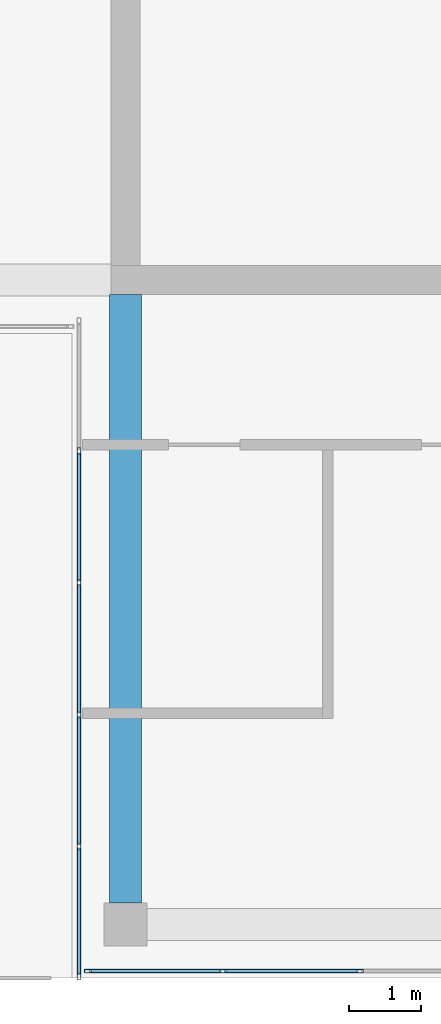
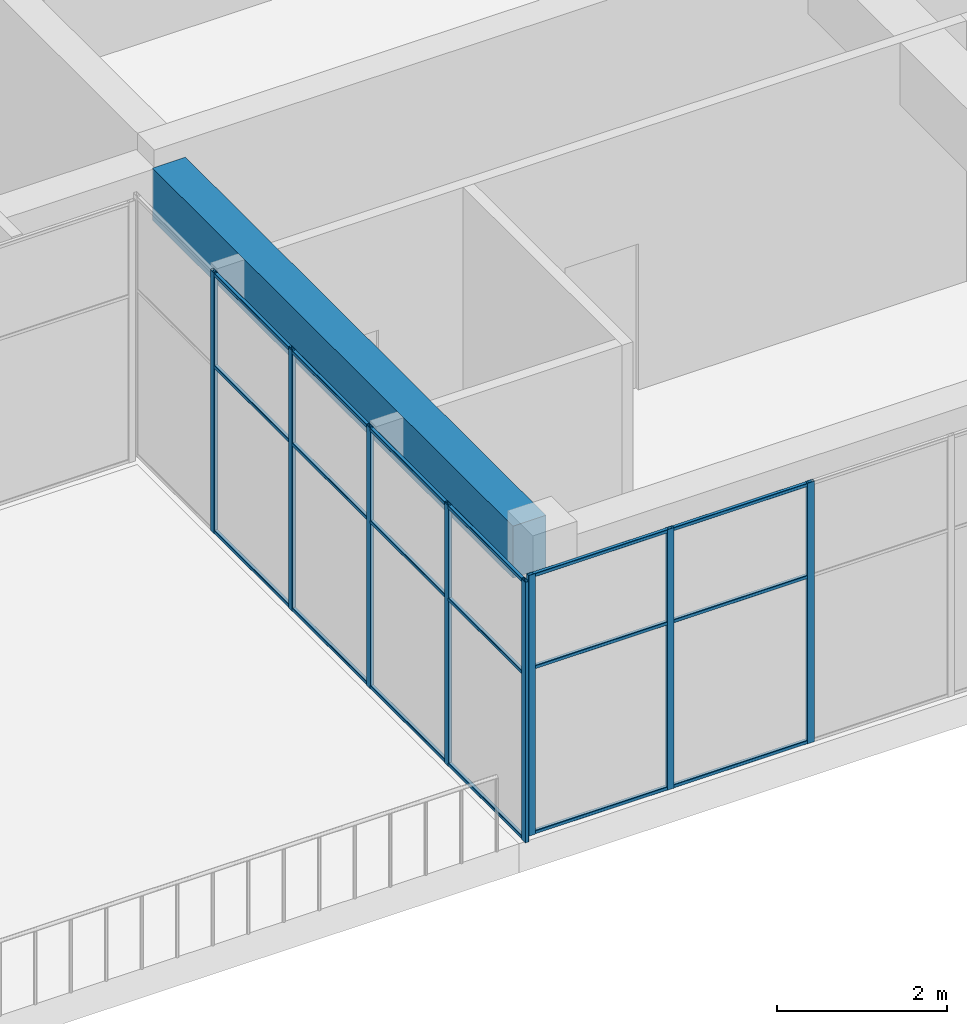
# One storey, part 3 of 32: 26 members, 1 beam, 2 elements without a shape of their own.
"""IFC4 building model written with IfcOpenShell, lengths in metres."""

from ifc_helpers import new_model, si_unit, direction, frame, origin, origin_2d, place, context, subcontext, project, spatial, rectangle, hollow_rectangle, extrude, material, layer, layer_set, material_profile, profile_set, type_object, element, aggregate, save


model = new_model("IFC4")

# Units and contexts
model_context = context("Model", 3, precision=1e-05, world=origin(), true_north=direction((0.0, 1.0)))
body_context = subcontext(model_context, "Body", "Model", "MODEL_VIEW")
ifc_project = project(units=[si_unit("LENGTHUNIT", "METRE"), si_unit("AREAUNIT", "SQUARE_METRE"), si_unit("VOLUMEUNIT", "CUBIC_METRE"), si_unit("PLANEANGLEUNIT", "RADIAN"), si_unit("MASSUNIT", "GRAM", prefix="KILO")], contexts=[model_context])

# Site, building, storey
site_placement = place(None, origin())
site = spatial("IfcSite", under=ifc_project, at=site_placement, CompositionType="ELEMENT")
building_placement = place(site_placement, origin())
building = spatial("IfcBuilding", under=site, at=building_placement, Name="Tuart Plaza Theatre", CompositionType="ELEMENT")
storey_placement = place(building_placement, frame((0.0, 0.0, 41.5)))
storey = spatial("IfcBuildingStorey", under=building, at=storey_placement, Name="L10", CompositionType="ELEMENT", Elevation=41.5)

# Beam
ifc_material_1 = material(Name="Concrete N40 (40 MPa)", Category="concrete")
ifc_material_profile_1 = material_profile(ifc_material_1, rectangle(XDim=0.449951171875, YDim=0.75, at=origin_2d()), Name="BEAM 450x750 Concrete N40 (40 MPa)")
ifc_profile_set_1 = profile_set([ifc_material_profile_1], Name="Concrete N40 (40 MPa)")
beam_type = type_object("IfcBeamType", Name="BEAM 450x750 Concrete N40 (40 MPa)", PredefinedType="BEAM", material=ifc_profile_set_1)
beam_placement = place(storey_placement, frame((123.0, 56.300048828125, 3.375), z_axis=(0.0, 1.0, 0.0), x_axis=(-1.0, 0.0, 0.0)))
element("IfcBeam", 1, at=beam_placement, inside=storey, type_object=beam_type, Name="RB296", PredefinedType="BEAM", context=body_context, shape_type="SweptSolid", body=[
    extrude(rectangle(XDim=0.449951171875, YDim=0.75, at=origin_2d()), origin(), (0.0, 0.0, 1.0), 8.5),
])

# Curtain wall, members
ifc_material_2 = material(Name="Aluminium and glass", Category="aluminium")
ifc_layer = layer(ifc_material_2, 0.10009765625)
ifc_layer_set = layer_set([ifc_layer], Name="CURTAIN WALL 2000 module")
curtain_wall_type = type_object("IfcCurtainWallType", Name="CURTAIN WALL 2000 module", PredefinedType="NOTDEFINED", material=ifc_layer_set)
curtain_wall_1_placement = place(storey_placement, origin())
curtain_wall_1 = element("IfcCurtainWall", 2, at=curtain_wall_1_placement, inside=storey, type_object=curtain_wall_type, Name="CW110", PredefinedType="NOTDEFINED")
ifc_material_3 = material(Name="Aluminium 6063-T5", Category="aluminium")
ifc_material_profile_2 = material_profile(ifc_material_3, hollow_rectangle(XDim=0.050048828125, YDim=0.10009765625, WallThickness=0.00390625, InnerFilletRadius=0.00390625, OuterFilletRadius=0.008056640625, at=origin_2d()), Name="RHS 100x50x4")
ifc_profile_set_2 = profile_set([ifc_material_profile_2], Name="Aluminium 6063-T5")
member_type_1 = type_object("IfcMemberType", Name="MULLION RHS 100x50x4", PredefinedType="MULLION", material=ifc_profile_set_2)
member_1_placement = place(storey_placement, frame((122.35009765625, 62.610107421875, 0.0), z_axis=(0.0, 0.0, 1.0), x_axis=(1.0, 0.0, 0.0)))
member_1 = element("IfcMember", 3, at=member_1_placement, type_object=member_type_1, Name="CW110 mullion 2", PredefinedType="MULLION", context=body_context, shape_type="SweptSolid", body=[
    extrude(hollow_rectangle(XDim=0.050048828125, YDim=0.10009765625, WallThickness=0.00390625, InnerFilletRadius=0.00390625, OuterFilletRadius=0.008056640625, at=origin_2d()), origin(), (0.0, 0.0, 1.0), 3.75),
])
member_2_placement = place(storey_placement, frame((122.35009765625, 60.77001953125, 0.0), z_axis=(0.0, 0.0, 1.0), x_axis=(1.0, 0.0, 0.0)))
member_2 = element("IfcMember", 4, at=member_2_placement, type_object=member_type_1, Name="CW110 mullion 3", PredefinedType="MULLION", context=body_context, shape_type="SweptSolid", body=[
    extrude(hollow_rectangle(XDim=0.050048828125, YDim=0.10009765625, WallThickness=0.00390625, InnerFilletRadius=0.00390625, OuterFilletRadius=0.008056640625, at=origin_2d()), origin(), (0.0, 0.0, 1.0), 3.75),
])
member_3_placement = place(storey_placement, frame((122.35009765625, 58.929931640625, 0.0), z_axis=(0.0, 0.0, 1.0), x_axis=(1.0, 0.0, 0.0)))
member_3 = element("IfcMember", 5, at=member_3_placement, type_object=member_type_1, Name="CW110 mullion 4", PredefinedType="MULLION", context=body_context, shape_type="SweptSolid", body=[
    extrude(hollow_rectangle(XDim=0.050048828125, YDim=0.10009765625, WallThickness=0.00390625, InnerFilletRadius=0.00390625, OuterFilletRadius=0.008056640625, at=origin_2d()), origin(), (0.0, 0.0, 1.0), 3.75),
])
member_4_placement = place(storey_placement, frame((122.35009765625, 57.090087890625, 0.0), z_axis=(0.0, 0.0, 1.0), x_axis=(1.0, 0.0, 0.0)))
member_4 = element("IfcMember", 6, at=member_4_placement, type_object=member_type_1, Name="CW110 mullion 5", PredefinedType="MULLION", context=body_context, shape_type="SweptSolid", body=[
    extrude(hollow_rectangle(XDim=0.050048828125, YDim=0.10009765625, WallThickness=0.00390625, InnerFilletRadius=0.00390625, OuterFilletRadius=0.008056640625, at=origin_2d()), origin(), (0.0, 0.0, 1.0), 3.75),
])
member_5_placement = place(storey_placement, frame((122.35009765625, 55.27490234375, 0.0), z_axis=(0.0, 0.0, 1.0), x_axis=(1.0, 0.0, 0.0)))
member_5 = element("IfcMember", 7, at=member_5_placement, type_object=member_type_1, Name="CW110 mullion 6", PredefinedType="MULLION", context=body_context, shape_type="SweptSolid", body=[
    extrude(hollow_rectangle(XDim=0.050048828125, YDim=0.10009765625, WallThickness=0.00390625, InnerFilletRadius=0.00390625, OuterFilletRadius=0.008056640625, at=origin_2d()), origin(), (0.0, 0.0, 1.0), 3.75),
])

curtain_wall_2_placement = place(storey_placement, origin())
curtain_wall_2 = element("IfcCurtainWall", 8, at=curtain_wall_2_placement, inside=storey, type_object=curtain_wall_type, Name="CW111", PredefinedType="NOTDEFINED")
member_6_placement = place(storey_placement, frame((122.47509765625, 55.35009765625, 0.0), z_axis=(0.0, 0.0, 1.0), x_axis=(0.0, 1.0, 0.0)))
member_6 = element("IfcMember", 9, at=member_6_placement, type_object=member_type_1, Name="CW111 mullion 1", PredefinedType="MULLION", context=body_context, shape_type="SweptSolid", body=[
    extrude(hollow_rectangle(XDim=0.050048828125, YDim=0.10009765625, WallThickness=0.00390625, InnerFilletRadius=0.00390625, OuterFilletRadius=0.008056640625, at=origin_2d()), origin(), (0.0, 0.0, 1.0), 3.75),
])
member_7_placement = place(storey_placement, frame((124.360107421875, 55.35009765625, 0.0), z_axis=(0.0, 0.0, 1.0), x_axis=(0.0, 1.0, 0.0)))
member_7 = element("IfcMember", 10, at=member_7_placement, type_object=member_type_1, Name="CW111 mullion 2", PredefinedType="MULLION", context=body_context, shape_type="SweptSolid", body=[
    extrude(hollow_rectangle(XDim=0.050048828125, YDim=0.10009765625, WallThickness=0.00390625, InnerFilletRadius=0.00390625, OuterFilletRadius=0.008056640625, at=origin_2d()), origin(), (0.0, 0.0, 1.0), 3.75),
])
member_8_placement = place(storey_placement, frame((126.27001953125, 55.35009765625, 0.0), z_axis=(0.0, 0.0, 1.0), x_axis=(0.0, 1.0, 0.0)))
member_8 = element("IfcMember", 11, at=member_8_placement, type_object=member_type_1, Name="CW111 mullion 3", PredefinedType="MULLION", context=body_context, shape_type="SweptSolid", body=[
    extrude(hollow_rectangle(XDim=0.050048828125, YDim=0.10009765625, WallThickness=0.00390625, InnerFilletRadius=0.00390625, OuterFilletRadius=0.008056640625, at=origin_2d()), origin(), (0.0, 0.0, 1.0), 3.75),
])

# Member
ifc_material_4 = material(Name="Aluminium 6063-T5", Category="aluminium")
ifc_material_profile_3 = material_profile(ifc_material_4, hollow_rectangle(XDim=0.050048828125, YDim=0.050048828125, WallThickness=0.00390625, InnerFilletRadius=0.00390625, OuterFilletRadius=0.008056640625, at=origin_2d()), Name="RHS 50x50x4")
ifc_profile_set_3 = profile_set([ifc_material_profile_3], Name="Aluminium 6063-T5")
member_type_2 = type_object("IfcMemberType", Name="TRANSOM RHS 50x50x4", PredefinedType="USERDEFINED", material=ifc_profile_set_3)
member_9_placement = place(storey_placement, frame((122.35009765625, 62.5849609375, 0.02490234375), z_axis=(0.0, -1.0, 0.0), x_axis=(1.0, 0.0, 0.0)))
member_9 = element("IfcMember", 12, at=member_9_placement, type_object=member_type_2, Name="CW110 transom 2.1", ObjectType="TRANSOM", PredefinedType="USERDEFINED", context=body_context, shape_type="SweptSolid", body=[
    extrude(hollow_rectangle(XDim=0.050048828125, YDim=0.050048828125, WallThickness=0.00390625, InnerFilletRadius=0.00390625, OuterFilletRadius=0.008056640625, at=origin_2d()), origin(), (0.0, 0.0, 1.0), 1.7900390625),
])

member_10_placement = place(storey_placement, frame((122.35009765625, 62.5849609375, 2.39990234375), z_axis=(0.0, -1.0, 0.0), x_axis=(1.0, 0.0, 0.0)))
member_10 = element("IfcMember", 13, at=member_10_placement, type_object=member_type_2, Name="CW110 transom 2.2", ObjectType="TRANSOM", PredefinedType="USERDEFINED", context=body_context, shape_type="SweptSolid", body=[
    extrude(hollow_rectangle(XDim=0.050048828125, YDim=0.050048828125, WallThickness=0.00390625, InnerFilletRadius=0.00390625, OuterFilletRadius=0.008056640625, at=origin_2d()), origin(), (0.0, 0.0, 1.0), 1.7900390625),
])

member_11_placement = place(storey_placement, frame((122.35009765625, 62.5849609375, 3.72509765625), z_axis=(0.0, -1.0, 0.0), x_axis=(1.0, 0.0, 0.0)))
member_11 = element("IfcMember", 14, at=member_11_placement, type_object=member_type_2, Name="CW110 transom 2.3", ObjectType="TRANSOM", PredefinedType="USERDEFINED", context=body_context, shape_type="SweptSolid", body=[
    extrude(hollow_rectangle(XDim=0.050048828125, YDim=0.050048828125, WallThickness=0.00390625, InnerFilletRadius=0.00390625, OuterFilletRadius=0.008056640625, at=origin_2d()), origin(), (0.0, 0.0, 1.0), 1.7900390625),
])

member_12_placement = place(storey_placement, frame((122.35009765625, 60.7451171875, 0.02490234375), z_axis=(0.0, -1.0, 0.0), x_axis=(1.0, 0.0, 0.0)))
member_12 = element("IfcMember", 15, at=member_12_placement, type_object=member_type_2, Name="CW110 transom 3.1", ObjectType="TRANSOM", PredefinedType="USERDEFINED", context=body_context, shape_type="SweptSolid", body=[
    extrude(hollow_rectangle(XDim=0.050048828125, YDim=0.050048828125, WallThickness=0.00390625, InnerFilletRadius=0.00390625, OuterFilletRadius=0.008056640625, at=origin_2d()), origin(), (0.0, 0.0, 1.0), 1.7900390625),
])

member_13_placement = place(storey_placement, frame((122.35009765625, 60.7451171875, 2.39990234375), z_axis=(0.0, -1.0, 0.0), x_axis=(1.0, 0.0, 0.0)))
member_13 = element("IfcMember", 16, at=member_13_placement, type_object=member_type_2, Name="CW110 transom 3.2", ObjectType="TRANSOM", PredefinedType="USERDEFINED", context=body_context, shape_type="SweptSolid", body=[
    extrude(hollow_rectangle(XDim=0.050048828125, YDim=0.050048828125, WallThickness=0.00390625, InnerFilletRadius=0.00390625, OuterFilletRadius=0.008056640625, at=origin_2d()), origin(), (0.0, 0.0, 1.0), 1.7900390625),
])

member_14_placement = place(storey_placement, frame((122.35009765625, 60.7451171875, 3.72509765625), z_axis=(0.0, -1.0, 0.0), x_axis=(1.0, 0.0, 0.0)))
member_14 = element("IfcMember", 17, at=member_14_placement, type_object=member_type_2, Name="CW110 transom 3.3", ObjectType="TRANSOM", PredefinedType="USERDEFINED", context=body_context, shape_type="SweptSolid", body=[
    extrude(hollow_rectangle(XDim=0.050048828125, YDim=0.050048828125, WallThickness=0.00390625, InnerFilletRadius=0.00390625, OuterFilletRadius=0.008056640625, at=origin_2d()), origin(), (0.0, 0.0, 1.0), 1.7900390625),
])

member_15_placement = place(storey_placement, frame((122.35009765625, 58.905029296875, 0.02490234375), z_axis=(0.0, -1.0, 0.0), x_axis=(1.0, 0.0, 0.0)))
member_15 = element("IfcMember", 18, at=member_15_placement, type_object=member_type_2, Name="CW110 transom 4.1", ObjectType="TRANSOM", PredefinedType="USERDEFINED", context=body_context, shape_type="SweptSolid", body=[
    extrude(hollow_rectangle(XDim=0.050048828125, YDim=0.050048828125, WallThickness=0.00390625, InnerFilletRadius=0.00390625, OuterFilletRadius=0.008056640625, at=origin_2d()), origin(), (0.0, 0.0, 1.0), 1.7900390625),
])

member_16_placement = place(storey_placement, frame((122.35009765625, 58.905029296875, 2.39990234375), z_axis=(0.0, -1.0, 0.0), x_axis=(1.0, 0.0, 0.0)))
member_16 = element("IfcMember", 19, at=member_16_placement, type_object=member_type_2, Name="CW110 transom 4.2", ObjectType="TRANSOM", PredefinedType="USERDEFINED", context=body_context, shape_type="SweptSolid", body=[
    extrude(hollow_rectangle(XDim=0.050048828125, YDim=0.050048828125, WallThickness=0.00390625, InnerFilletRadius=0.00390625, OuterFilletRadius=0.008056640625, at=origin_2d()), origin(), (0.0, 0.0, 1.0), 1.7900390625),
])

member_17_placement = place(storey_placement, frame((122.35009765625, 58.905029296875, 3.72509765625), z_axis=(0.0, -1.0, 0.0), x_axis=(1.0, 0.0, 0.0)))
member_17 = element("IfcMember", 20, at=member_17_placement, type_object=member_type_2, Name="CW110 transom 4.3", ObjectType="TRANSOM", PredefinedType="USERDEFINED", context=body_context, shape_type="SweptSolid", body=[
    extrude(hollow_rectangle(XDim=0.050048828125, YDim=0.050048828125, WallThickness=0.00390625, InnerFilletRadius=0.00390625, OuterFilletRadius=0.008056640625, at=origin_2d()), origin(), (0.0, 0.0, 1.0), 1.7900390625),
])

member_18_placement = place(storey_placement, frame((122.35009765625, 57.06494140625, 0.02490234375), z_axis=(0.0, -1.0, 0.0), x_axis=(1.0, 0.0, 0.0)))
member_18 = element("IfcMember", 21, at=member_18_placement, type_object=member_type_2, Name="CW110 transom 5.1", ObjectType="TRANSOM", PredefinedType="USERDEFINED", context=body_context, shape_type="SweptSolid", body=[
    extrude(hollow_rectangle(XDim=0.050048828125, YDim=0.050048828125, WallThickness=0.00390625, InnerFilletRadius=0.00390625, OuterFilletRadius=0.008056640625, at=origin_2d()), origin(), (0.0, 0.0, 1.0), 1.764892578125),
])

member_19_placement = place(storey_placement, frame((122.35009765625, 57.06494140625, 2.39990234375), z_axis=(0.0, -1.0, 0.0), x_axis=(1.0, 0.0, 0.0)))
member_19 = element("IfcMember", 22, at=member_19_placement, type_object=member_type_2, Name="CW110 transom 5.2", ObjectType="TRANSOM", PredefinedType="USERDEFINED", context=body_context, shape_type="SweptSolid", body=[
    extrude(hollow_rectangle(XDim=0.050048828125, YDim=0.050048828125, WallThickness=0.00390625, InnerFilletRadius=0.00390625, OuterFilletRadius=0.008056640625, at=origin_2d()), origin(), (0.0, 0.0, 1.0), 1.764892578125),
])

member_20_placement = place(storey_placement, frame((122.35009765625, 57.06494140625, 3.72509765625), z_axis=(0.0, -1.0, 0.0), x_axis=(1.0, 0.0, 0.0)))
member_20 = element("IfcMember", 23, at=member_20_placement, type_object=member_type_2, Name="CW110 transom 5.3", ObjectType="TRANSOM", PredefinedType="USERDEFINED", context=body_context, shape_type="SweptSolid", body=[
    extrude(hollow_rectangle(XDim=0.050048828125, YDim=0.050048828125, WallThickness=0.00390625, InnerFilletRadius=0.00390625, OuterFilletRadius=0.008056640625, at=origin_2d()), origin(), (0.0, 0.0, 1.0), 1.764892578125),
])

aggregate(curtain_wall_1, [member_1, member_2, member_3, member_4, member_5, member_9, member_10, member_11, member_12, member_13, member_14, member_15, member_16, member_17, member_18, member_19, member_20])

member_21_placement = place(storey_placement, frame((122.5, 55.35009765625, 0.02490234375), z_axis=(1.0, 0.0, 0.0), x_axis=(0.0, 1.0, 0.0)))
member_21 = element("IfcMember", 24, at=member_21_placement, type_object=member_type_2, Name="CW111 transom 1.1", ObjectType="TRANSOM", PredefinedType="USERDEFINED", context=body_context, shape_type="SweptSolid", body=[
    extrude(hollow_rectangle(XDim=0.050048828125, YDim=0.050048828125, WallThickness=0.00390625, InnerFilletRadius=0.00390625, OuterFilletRadius=0.008056640625, at=origin_2d()), origin(), (0.0, 0.0, 1.0), 1.8349609375),
])

member_22_placement = place(storey_placement, frame((122.5, 55.35009765625, 2.39990234375), z_axis=(1.0, 0.0, 0.0), x_axis=(0.0, 1.0, 0.0)))
member_22 = element("IfcMember", 25, at=member_22_placement, type_object=member_type_2, Name="CW111 transom 1.2", ObjectType="TRANSOM", PredefinedType="USERDEFINED", context=body_context, shape_type="SweptSolid", body=[
    extrude(hollow_rectangle(XDim=0.050048828125, YDim=0.050048828125, WallThickness=0.00390625, InnerFilletRadius=0.00390625, OuterFilletRadius=0.008056640625, at=origin_2d()), origin(), (0.0, 0.0, 1.0), 1.8349609375),
])

member_23_placement = place(storey_placement, frame((122.5, 55.35009765625, 3.72509765625), z_axis=(1.0, 0.0, 0.0), x_axis=(0.0, 1.0, 0.0)))
member_23 = element("IfcMember", 26, at=member_23_placement, type_object=member_type_2, Name="CW111 transom 1.3", ObjectType="TRANSOM", PredefinedType="USERDEFINED", context=body_context, shape_type="SweptSolid", body=[
    extrude(hollow_rectangle(XDim=0.050048828125, YDim=0.050048828125, WallThickness=0.00390625, InnerFilletRadius=0.00390625, OuterFilletRadius=0.008056640625, at=origin_2d()), origin(), (0.0, 0.0, 1.0), 1.8349609375),
])

member_24_placement = place(storey_placement, frame((124.385009765625, 55.35009765625, 0.02490234375), z_axis=(1.0, 0.0, 0.0), x_axis=(0.0, 1.0, 0.0)))
member_24 = element("IfcMember", 27, at=member_24_placement, type_object=member_type_2, Name="CW111 transom 2.1", ObjectType="TRANSOM", PredefinedType="USERDEFINED", context=body_context, shape_type="SweptSolid", body=[
    extrude(hollow_rectangle(XDim=0.050048828125, YDim=0.050048828125, WallThickness=0.00390625, InnerFilletRadius=0.00390625, OuterFilletRadius=0.008056640625, at=origin_2d()), origin(), (0.0, 0.0, 1.0), 1.860107421875),
])

member_25_placement = place(storey_placement, frame((124.385009765625, 55.35009765625, 2.39990234375), z_axis=(1.0, 0.0, 0.0), x_axis=(0.0, 1.0, 0.0)))
member_25 = element("IfcMember", 28, at=member_25_placement, type_object=member_type_2, Name="CW111 transom 2.2", ObjectType="TRANSOM", PredefinedType="USERDEFINED", context=body_context, shape_type="SweptSolid", body=[
    extrude(hollow_rectangle(XDim=0.050048828125, YDim=0.050048828125, WallThickness=0.00390625, InnerFilletRadius=0.00390625, OuterFilletRadius=0.008056640625, at=origin_2d()), origin(), (0.0, 0.0, 1.0), 1.860107421875),
])

member_26_placement = place(storey_placement, frame((124.385009765625, 55.35009765625, 3.72509765625), z_axis=(1.0, 0.0, 0.0), x_axis=(0.0, 1.0, 0.0)))
member_26 = element("IfcMember", 29, at=member_26_placement, type_object=member_type_2, Name="CW111 transom 2.3", ObjectType="TRANSOM", PredefinedType="USERDEFINED", context=body_context, shape_type="SweptSolid", body=[
    extrude(hollow_rectangle(XDim=0.050048828125, YDim=0.050048828125, WallThickness=0.00390625, InnerFilletRadius=0.00390625, OuterFilletRadius=0.008056640625, at=origin_2d()), origin(), (0.0, 0.0, 1.0), 1.860107421875),
])

aggregate(curtain_wall_2, [member_6, member_7, member_8, member_21, member_22, member_23, member_24, member_25, member_26])

save(model, "model.ifc")
